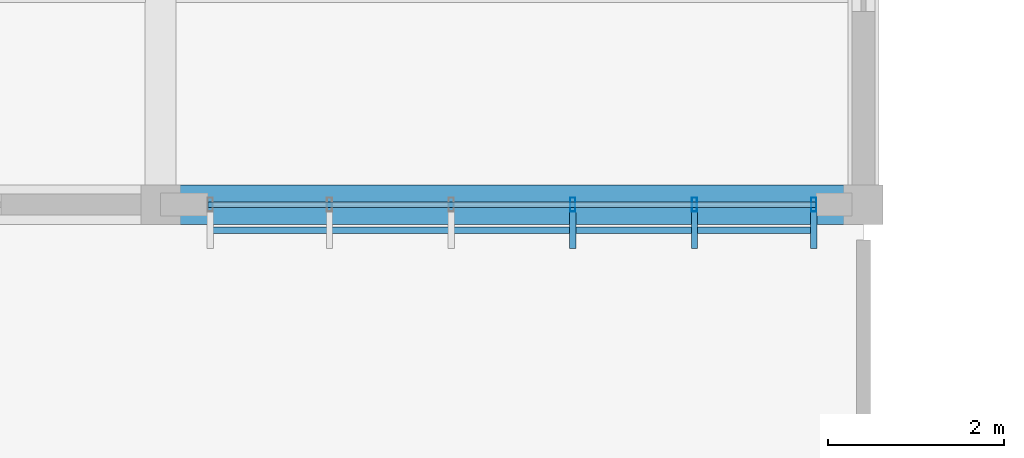
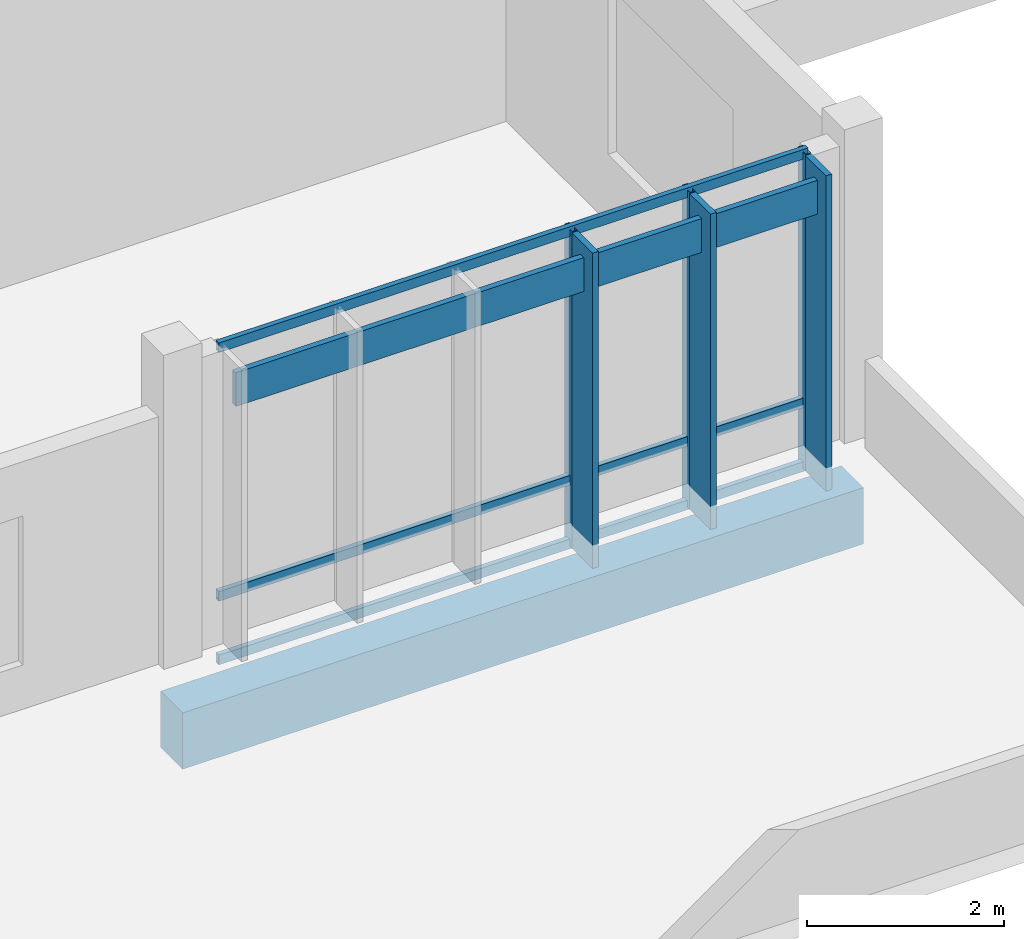
# One storey, part 76 of 182: 10 members, 1 beam, 1 element without a shape of its own.
"""IFC4 building model written with IfcOpenShell, lengths in metres."""

from ifc_helpers import new_model, si_unit, direction, frame, origin, origin_2d, place, context, subcontext, project, spatial, rectangle, hollow_rectangle, extrude, material, material_profile, profile_set, type_object, element, aggregate, save


model = new_model("IFC4")

# Units and contexts
model_context = context("Model", 3, precision=1e-05, world=origin(), true_north=direction((0.0, 1.0)))
body_context = subcontext(model_context, "Body", "Model", "MODEL_VIEW")
ifc_project = project(units=[si_unit("LENGTHUNIT", "METRE"), si_unit("AREAUNIT", "SQUARE_METRE"), si_unit("VOLUMEUNIT", "CUBIC_METRE"), si_unit("PLANEANGLEUNIT", "RADIAN"), si_unit("MASSUNIT", "GRAM", prefix="KILO")], contexts=[model_context])

# Site, building, storey
site_placement = place(None, origin())
site = spatial("IfcSite", under=ifc_project, at=site_placement, CompositionType="ELEMENT")
building_placement = place(site_placement, origin())
building = spatial("IfcBuilding", under=site, at=building_placement, Name="Chiffa Square Polytechnic", CompositionType="ELEMENT")
storey_placement = place(building_placement, frame((0.0, 0.0, 9.60009765625)))
storey = spatial("IfcBuildingStorey", under=building, at=storey_placement, Name="L02", CompositionType="ELEMENT", Elevation=9.60009765625)

# Beam
ifc_material_1 = material(Name="Concrete C35/45", Category="concrete")
ifc_material_profile_1 = material_profile(ifc_material_1, rectangle(XDim=0.449951171875, YDim=0.699951171875, at=origin_2d()), Name="RC 450x700")
ifc_profile_set_1 = profile_set([ifc_material_profile_1], Name="Concrete C35/45")
beam_type = type_object("IfcBeamType", Name="BM-RC-450X700", PredefinedType="BEAM", material=ifc_profile_set_1)
beam_placement = place(storey_placement, frame((40.0, 87.0, -0.670166015625), z_axis=(1.0, 0.0, 0.0), x_axis=(0.0, 1.0, 0.0)))
element("IfcBeam", 1, at=beam_placement, inside=storey, type_object=beam_type, Name="Primary floor girder BM-V6-L02-X-0400-0870", PredefinedType="BEAM", context=body_context, shape_type="SweptSolid", body=[
    extrude(rectangle(XDim=0.449951171875, YDim=0.699951171875, at=origin_2d()), origin(), (0.0, 0.0, 1.0), 8.0),
])

# Curtain wall, members
ifc_material_2 = material(Name="Aluminium EN AW-6060 T66 and glulam shading", Category="wood")
curtain_wall_type = type_object("IfcCurtainWallType", Name="CW-VERT-600X440", PredefinedType="USERDEFINED", material=ifc_material_2)
curtain_wall_placement = place(storey_placement, origin())
curtain_wall = element("IfcCurtainWall", 2, at=curtain_wall_placement, inside=storey, type_object=curtain_wall_type, Name="Curtain wall CW-V6-L02-265", ObjectType="CURTAIN WALL", PredefinedType="USERDEFINED")
ifc_material_3 = material(Name="Aluminium EN AW-6060 T66", Category="aluminium")
ifc_material_profile_2 = material_profile(ifc_material_3, hollow_rectangle(XDim=0.06005859375, YDim=0.159912109375, WallThickness=0.00390625, at=origin_2d()), Name="ALU 60x160x4")
ifc_profile_set_2 = profile_set([ifc_material_profile_2], Name="Aluminium EN AW-6060 T66")
member_type_1 = type_object("IfcMemberType", Name="CWM-ALU-65X150", PredefinedType="MULLION", material=ifc_profile_set_2)
member_1_placement = place(storey_placement, frame((44.69189453125, 87.0, 0.0), z_axis=(0.0, 0.0, 1.0), x_axis=(1.0, 0.0, 0.0)))
member_1 = element("IfcMember", 3, at=member_1_placement, type_object=member_type_1, Name="Curtain wall mullion CW-V6-L02-265-M03", PredefinedType="MULLION", context=body_context, shape_type="SweptSolid", body=[
    extrude(hollow_rectangle(XDim=0.06005859375, YDim=0.159912109375, WallThickness=0.00390625, at=origin_2d()), origin(), (0.0, 0.0, 1.0), 3.93994140625),
])
member_2_placement = place(storey_placement, frame((46.075927734375, 87.0, 0.0), z_axis=(0.0, 0.0, 1.0), x_axis=(1.0, 0.0, 0.0)))
member_2 = element("IfcMember", 4, at=member_2_placement, type_object=member_type_1, Name="Curtain wall mullion CW-V6-L02-265-M04", PredefinedType="MULLION", context=body_context, shape_type="SweptSolid", body=[
    extrude(hollow_rectangle(XDim=0.06005859375, YDim=0.159912109375, WallThickness=0.00390625, at=origin_2d()), origin(), (0.0, 0.0, 1.0), 3.93994140625),
])
member_3_placement = place(storey_placement, frame((47.43505859375, 87.0, 0.0), z_axis=(0.0, 0.0, 1.0), x_axis=(1.0, 0.0, 0.0)))
member_3 = element("IfcMember", 5, at=member_3_placement, type_object=member_type_1, Name="Curtain wall mullion CW-V6-L02-265-M05", PredefinedType="MULLION", context=body_context, shape_type="SweptSolid", body=[
    extrude(hollow_rectangle(XDim=0.06005859375, YDim=0.159912109375, WallThickness=0.00390625, at=origin_2d()), origin(), (0.0, 0.0, 1.0), 3.93994140625),
])
ifc_material_4 = material(Name="Glulam GL28h", Category="wood")
ifc_material_profile_3 = material_profile(ifc_material_4, rectangle(XDim=0.070068359375, YDim=0.419921875, at=origin_2d()), Name="GL28h 70x420")
ifc_profile_set_3 = profile_set([ifc_material_profile_3], Name="Glulam GL28h")
member_type_2 = type_object("IfcMemberType", Name="CWM-GL-70X420", PredefinedType="MULLION", material=ifc_profile_set_3)
member_4_placement = place(storey_placement, frame((44.69189453125, 86.7080078125, 0.010009765625), z_axis=(0.0, 0.0, 1.0), x_axis=(1.0, 0.0, 0.0)))
member_4 = element("IfcMember", 6, at=member_4_placement, type_object=member_type_2, Name="Exterior glulam solar fin CW-V6-L02-265-FN03", PredefinedType="MULLION", context=body_context, shape_type="SweptSolid", body=[
    extrude(rectangle(XDim=0.070068359375, YDim=0.419921875, at=origin_2d()), origin(), (0.0, 0.0, 1.0), 3.919921875),
])
member_5_placement = place(storey_placement, frame((46.075927734375, 86.7080078125, 0.010009765625), z_axis=(0.0, 0.0, 1.0), x_axis=(1.0, 0.0, 0.0)))
member_5 = element("IfcMember", 7, at=member_5_placement, type_object=member_type_2, Name="Exterior glulam solar fin CW-V6-L02-265-FN04", PredefinedType="MULLION", context=body_context, shape_type="SweptSolid", body=[
    extrude(rectangle(XDim=0.070068359375, YDim=0.419921875, at=origin_2d()), origin(), (0.0, 0.0, 1.0), 3.919921875),
])
member_6_placement = place(storey_placement, frame((47.43505859375, 86.7080078125, 0.010009765625), z_axis=(0.0, 0.0, 1.0), x_axis=(1.0, 0.0, 0.0)))
member_6 = element("IfcMember", 8, at=member_6_placement, type_object=member_type_2, Name="Exterior glulam solar fin CW-V6-L02-265-FN05", PredefinedType="MULLION", context=body_context, shape_type="SweptSolid", body=[
    extrude(rectangle(XDim=0.070068359375, YDim=0.419921875, at=origin_2d()), origin(), (0.0, 0.0, 1.0), 3.919921875),
])
ifc_material_profile_4 = material_profile(ifc_material_3, hollow_rectangle(XDim=0.06005859375, YDim=0.1201171875, WallThickness=0.00390625, at=origin_2d()), Name="ALU 60x120x4")
ifc_profile_set_4 = profile_set([ifc_material_profile_4], Name="Aluminium EN AW-6060 T66")
member_type_3 = type_object("IfcMemberType", Name="CWT-ALU-65X120", PredefinedType="USERDEFINED", material=ifc_profile_set_4)
member_7_placement = place(storey_placement, frame((40.5380859375, 87.0, 0.02978515625), z_axis=(1.0, 0.0, 0.0), x_axis=(0.0, 1.0, 0.0)))
member_7 = element("IfcMember", 9, at=member_7_placement, type_object=member_type_3, Name="Curtain wall transom CW-V6-L02-265-T01", ObjectType="TRANSOM", PredefinedType="USERDEFINED", context=body_context, shape_type="SweptSolid", body=[
    extrude(hollow_rectangle(XDim=0.06005859375, YDim=0.1201171875, WallThickness=0.00390625, at=origin_2d()), origin(), (0.0, 0.0, 1.0), 6.923828125),
])
member_8_placement = place(storey_placement, frame((40.5380859375, 87.0, 0.81982421875), z_axis=(1.0, 0.0, 0.0), x_axis=(0.0, 1.0, 0.0)))
member_8 = element("IfcMember", 10, at=member_8_placement, type_object=member_type_3, Name="Curtain wall transom CW-V6-L02-265-T02", ObjectType="TRANSOM", PredefinedType="USERDEFINED", context=body_context, shape_type="SweptSolid", body=[
    extrude(hollow_rectangle(XDim=0.06005859375, YDim=0.1201171875, WallThickness=0.00390625, at=origin_2d()), origin(), (0.0, 0.0, 1.0), 6.923828125),
])
member_9_placement = place(storey_placement, frame((40.5380859375, 87.0, 3.909912109375), z_axis=(1.0, 0.0, 0.0), x_axis=(0.0, 1.0, 0.0)))
member_9 = element("IfcMember", 11, at=member_9_placement, type_object=member_type_3, Name="Curtain wall transom CW-V6-L02-265-T03", ObjectType="TRANSOM", PredefinedType="USERDEFINED", context=body_context, shape_type="SweptSolid", body=[
    extrude(hollow_rectangle(XDim=0.06005859375, YDim=0.1201171875, WallThickness=0.00390625, at=origin_2d()), origin(), (0.0, 0.0, 1.0), 6.923828125),
])
ifc_material_profile_5 = material_profile(ifc_material_4, rectangle(XDim=0.070068359375, YDim=0.419921875, at=origin_2d()), Name="GL28h 70x420")
ifc_profile_set_5 = profile_set([ifc_material_profile_5], Name="Glulam GL28h")
member_type_4 = type_object("IfcMemberType", Name="CWT-GL-70X420", PredefinedType="USERDEFINED", material=ifc_profile_set_5)
member_10_placement = place(storey_placement, frame((40.56494140625, 86.7080078125, 3.559814453125), z_axis=(1.0, 0.0, 0.0), x_axis=(0.0, 1.0, 0.0)))
member_10 = element("IfcMember", 12, at=member_10_placement, type_object=member_type_4, Name="Exterior glulam brise-soleil CW-V6-L02-265-BS01", ObjectType="TRANSOM", PredefinedType="USERDEFINED", context=body_context, shape_type="SweptSolid", body=[
    extrude(rectangle(XDim=0.070068359375, YDim=0.419921875, at=origin_2d()), origin(), (0.0, 0.0, 1.0), 6.8701171875),
])
aggregate(curtain_wall, [member_1, member_4, member_2, member_5, member_3, member_6, member_7, member_8, member_9, member_10])

save(model, "model.ifc")
